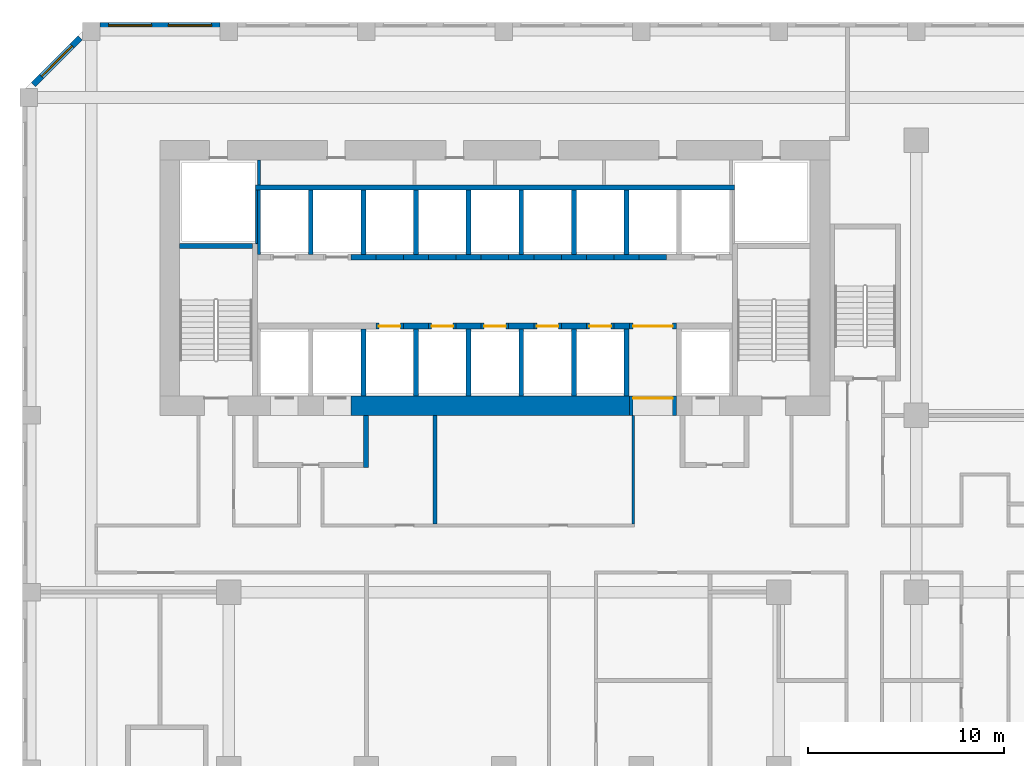
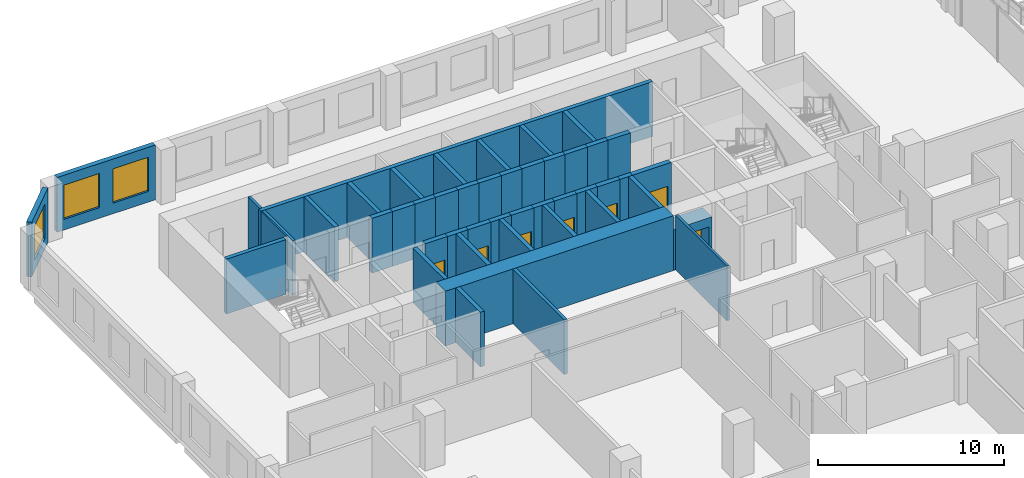
# One storey, part 15 of 21: 48 walls, 7 doors, 3 windows, 10 openings.
"""IFC4 building model written with IfcOpenShell, lengths in metres."""

from ifc_helpers import new_model, si_unit, direction, frame, frame_2d, origin, place, context, subcontext, project, spatial, rectangle, extrude, source, transform, mapped, material, layer, layer_set, type_object, element, fill, save


model = new_model("IFC4")

# Units and contexts
model_context = context("Model", 3, precision=1e-05, world=origin(), true_north=direction((0.0, 1.0)))
body_context = subcontext(model_context, "Body", "Model", "MODEL_VIEW")
ifc_project = project(units=[si_unit("LENGTHUNIT", "METRE"), si_unit("AREAUNIT", "SQUARE_METRE"), si_unit("VOLUMEUNIT", "CUBIC_METRE"), si_unit("PLANEANGLEUNIT", "RADIAN"), si_unit("MASSUNIT", "GRAM", prefix="KILO")], contexts=[model_context])

# Site, building, storey
site_placement = place(None, origin())
site = spatial("IfcSite", under=ifc_project, at=site_placement, CompositionType="ELEMENT")
building_placement = place(site_placement, origin())
building = spatial("IfcBuilding", under=site, at=building_placement, Name="Kilnfold Tower and Market Hall", CompositionType="ELEMENT")
storey_placement = place(building_placement, frame((0.0, 0.0, 91.199951171875)))
storey = spatial("IfcBuildingStorey", under=building, at=storey_placement, Name="L21", CompositionType="ELEMENT", Elevation=91.199951171875)

# Walls
ifc_material_1 = material(Name="Gypsum board on steel studs", Category="steel")
ifc_layer_1 = layer(ifc_material_1, 0.14990234375)
ifc_layer_set_1 = layer_set([ifc_layer_1], Name="Gypsum board on steel studs")
wall_type_1 = type_object("IfcWallType", Name="WALL CORRIDOR 150", PredefinedType="PARTITIONING", material=ifc_layer_set_1)
wall_1_placement = place(storey_placement, frame((8.090087890625, 8.0, 0.0), z_axis=(0.0, 0.0, 1.0), x_axis=(0.0, -1.0, 0.0)))
element("IfcWall", 1, at=wall_1_placement, inside=storey, type_object=wall_type_1, Name="Partition LY14.18", PredefinedType="PARTITIONING", context=body_context, shape_type="SweptSolid", body=[
    extrude(rectangle(XDim=5.52490234375, YDim=0.14990234375, at=frame_2d((2.762451171875, 0.0))), origin(), (0.0, 0.0, 1.0), 3.60009765625),
])
ifc_material_2 = material(Name="Gypsum board on steel studs", Category="steel")
ifc_layer_2 = layer(ifc_material_2, 0.199951171875)
ifc_layer_set_2 = layer_set([ifc_layer_2], Name="Gypsum board on steel studs")
wall_type_2 = type_object("IfcWallType", Name="WALL PARTY 200", PredefinedType="PARTITIONING", material=ifc_layer_set_2)
wall_2_placement = place(storey_placement, frame((-2.0, 2.47607421875, 0.0), z_axis=(0.0, 0.0, 1.0), x_axis=(0.0, 1.0, 0.0)))
element("IfcWall", 2, at=wall_2_placement, inside=storey, type_object=wall_type_2, Name="Partition LY14.58", PredefinedType="PARTITIONING", context=body_context, shape_type="SweptSolid", body=[
    extrude(rectangle(XDim=5.52392578125, YDim=0.199951171875, at=frame_2d((2.761962890625, 0.0))), origin(), (0.0, 0.0, 1.0), 3.60009765625),
])
ifc_material_3 = material(Name="Concrete C80", Category="concrete")
ifc_layer_3 = layer(ifc_material_3, 1.0)
ifc_layer_set_3 = layer_set([ifc_layer_3], Name="Concrete C80")
wall_type_3 = type_object("IfcWallType", Name="CORE WALL 1000 C80", PredefinedType="SHEAR", material=ifc_layer_set_3)
shared_shape_1 = source(origin(), body_context, "Body", "SweptSolid", [
    extrude(rectangle(XDim=14.179931640625, YDim=1.0, at=frame_2d((7.08984375, 0.0))), origin(), (0.0, 0.0, 1.0), 3.60009765625),
])
wall_3_placement = place(storey_placement, frame((-6.2900390625, 8.5, 0.0), z_axis=(0.0, 0.0, 1.0), x_axis=(1.0, 0.0, 0.0)))
element("IfcWall", 3, at=wall_3_placement, inside=storey, type_object=wall_type_3, Name="Core outer wall south", PredefinedType="SHEAR", context=body_context, shape_type="MappedRepresentation", body=[
    mapped(shared_shape_1, transform((0.0, 0.0, 0.0))),
])
ifc_material_4 = material(Name="Concrete C80", Category="concrete")
ifc_layer_4 = layer(ifc_material_4, 0.25)
ifc_layer_set_4 = layer_set([ifc_layer_4], Name="Concrete C80")
wall_type_4 = type_object("IfcWallType", Name="CORE WALL 250 C80", PredefinedType="SHEAR", material=ifc_layer_set_4)
shared_shape_2 = source(origin(), body_context, "Body", "SweptSolid", [
    extrude(rectangle(XDim=3.699951171875, YDim=0.25, at=frame_2d((1.85009765625, 0.0))), origin(), (0.0, 0.0, 1.0), 3.60009765625),
])
wall_4_placement = place(storey_placement, frame((-15.0, 16.625, 0.0), z_axis=(0.0, 0.0, 1.0), x_axis=(1.0, 0.0, 0.0)))
element("IfcWall", 4, at=wall_4_placement, inside=storey, type_object=wall_type_4, Name="Stair enclosure ST1", PredefinedType="SHEAR", context=body_context, shape_type="MappedRepresentation", body=[
    mapped(shared_shape_2, transform((0.0, 0.0, 0.0))),
])
ifc_material_5 = material(Name="Concrete C80", Category="concrete")
ifc_layer_5 = layer(ifc_material_5, 0.300048828125)
ifc_layer_set_5 = layer_set([ifc_layer_5], Name="Concrete C80")
wall_type_5 = type_object("IfcWallType", Name="CORE WALL 300 C80", PredefinedType="SHEAR", material=ifc_layer_set_5)
shared_shape_3 = source(origin(), body_context, "Body", "SweptSolid", [
    extrude(rectangle(XDim=1.280029296875, YDim=0.300048828125, at=frame_2d((0.64013671875, 0.0))), origin(), (0.0, 0.0, 1.0), 3.60009765625),
])
for number, where, z_axis, x_axis, name in (
    (5, (-3.610107421875, 12.550048828125, 0.0), (0.0, 0.0, 1.0), (1.0, 0.0, 0.0), "Core spine wall"),
    (6, (-0.929931640625, 12.550048828125, 0.0), (0.0, 0.0, 1.0), (1.0, 0.0, 0.0), "Core spine wall"),
    (7, (1.75, 12.550048828125, 0.0), (0.0, 0.0, 1.0), (1.0, 0.0, 0.0), "Core spine wall"),
    (8, (4.429931640625, 12.550048828125, 0.0), (0.0, 0.0, 1.0), (1.0, 0.0, 0.0), "Core spine wall"),
    (9, (-6.2900390625, 16.050048828125, 0.0), (0.0, 0.0, 1.0), (1.0, 0.0, 0.0), "Core spine wall"),
    (10, (-3.610107421875, 16.050048828125, 0.0), (0.0, 0.0, 1.0), (1.0, 0.0, 0.0), "Core spine wall"),
    (11, (-0.929931640625, 16.050048828125, 0.0), (0.0, 0.0, 1.0), (1.0, 0.0, 0.0), "Core spine wall"),
    (12, (1.75, 16.050048828125, 0.0), (0.0, 0.0, 1.0), (1.0, 0.0, 0.0), "Core spine wall"),
    (13, (4.429931640625, 16.050048828125, 0.0), (0.0, 0.0, 1.0), (1.0, 0.0, 0.0), "Core spine wall"),
):
    element("IfcWall", number, at=place(storey_placement, frame(where, z_axis=z_axis, x_axis=x_axis)), inside=storey, type_object=wall_type_5, Name=name, PredefinedType="SHEAR", context=body_context, shape_type="MappedRepresentation", body=[
        mapped(shared_shape_3, transform((0.0, 0.0, 0.0))),
    ])
shared_shape_4 = source(origin(), body_context, "Body", "SweptSolid", [
    extrude(rectangle(XDim=0.77978515625, YDim=0.300048828125, at=frame_2d((0.389892578125, 0.0))), origin(), (0.0, 0.0, 1.0), 3.60009765625),
])
wall_5_placement = place(storey_placement, frame((7.110107421875, 12.550048828125, 0.0), z_axis=(0.0, 0.0, 1.0), x_axis=(1.0, 0.0, 0.0)))
element("IfcWall", 14, at=wall_5_placement, inside=storey, type_object=wall_type_5, Name="Core spine wall", PredefinedType="SHEAR", context=body_context, shape_type="MappedRepresentation", body=[
    mapped(shared_shape_4, transform((0.0, 0.0, 0.0))),
])
shared_shape_5 = source(origin(), body_context, "Body", "SweptSolid", [
    extrude(rectangle(XDim=1.27978515625, YDim=0.300048828125, at=frame_2d((0.639892578125, 0.0))), origin(), (0.0, 0.0, 1.0), 3.60009765625),
])
wall_6_placement = place(storey_placement, frame((7.110107421875, 16.050048828125, 0.0), z_axis=(0.0, 0.0, 1.0), x_axis=(1.0, 0.0, 0.0)))
element("IfcWall", 15, at=wall_6_placement, inside=storey, type_object=wall_type_5, Name="Core spine wall", PredefinedType="SHEAR", context=body_context, shape_type="MappedRepresentation", body=[
    mapped(shared_shape_5, transform((0.0, 0.0, 0.0))),
])

# Wall, opening, window
ifc_material_6 = material(Name="Precast concrete C50/60", Category="concrete")
ifc_layer_6 = layer(ifc_material_6, 0.300048828125)
ifc_layer_set_6 = layer_set([ifc_layer_6], Name="Precast concrete C50/60")
wall_type_6 = type_object("IfcWallType", Name="PRECAST WALL 300", PredefinedType="SOLIDWALL", material=ifc_layer_set_6)
shared_shape_6 = source(origin(), body_context, "Body", "SweptSolid", [
    extrude(rectangle(XDim=3.35888671875, YDim=0.300048828125, at=frame_2d((1.679443359375, 0.0))), origin(), (0.0, 0.0, 1.0), 3.60009765625),
])
wall_7_placement = place(storey_placement, frame((-20.06884765625, 27.218994140625, 0.0), z_axis=(0.0, 0.0, 1.0), x_axis=(-0.707143122278, -0.707070438228, 0.0)))
wall_7 = element("IfcWall", 16, at=wall_7_placement, inside=storey, type_object=wall_type_6, Name="External wall L21 NW", PredefinedType="SOLIDWALL", context=body_context, shape_type="MappedRepresentation", body=[
    mapped(shared_shape_6, transform((0.0, 0.0, 0.0))),
])
opening_1_placement = place(wall_7_placement, frame((0.579345703125, 0.0, 0.699951171875)))
opening_1 = element("IfcOpeningElement", 17, at=opening_1_placement, cuts=wall_7, Name="Opening W1", PredefinedType="OPENING", context=body_context, shape_type="SweptSolid", body=[
    extrude(rectangle(XDim=2.199951171875, YDim=2.25, at=frame_2d((1.10009765625, 1.125))), frame((0.0, 0.16015625, 0.0), z_axis=(0.0, -1.0, 0.0), x_axis=(1.0, 0.0, 0.0)), (0.0, 0.0, 1.0), 0.320068359375),
])
ifc_material_7 = material(Name="Aluminium frame and double glazing", Category="aluminium")
window_type = type_object("IfcWindowType", Name="WINDOW W1 2200X2250", PartitioningType="SINGLE_PANEL", PredefinedType="WINDOW", material=ifc_material_7)
window_1_placement = place(opening_1_placement, origin())
window_1 = element("IfcWindow", 18, at=window_1_placement, inside=storey, type_object=window_type, Name="Window W1 L21 NW-1", OverallHeight=2.25, OverallWidth=2.199951171875, PartitioningType="SINGLE_PANEL", PredefinedType="WINDOW", context=body_context, shape_type="SweptSolid", body=[
    extrude(rectangle(XDim=2.199951171875, YDim=2.25, at=frame_2d((1.10009765625, 1.125))), frame((0.0, 0.030029296875, 0.0), z_axis=(0.0, -1.0, 0.0), x_axis=(1.0, 0.0, 0.0)), (0.0, 0.0, 1.0), 0.06005859375),
])
fill(opening_1, window_1)

# Wall, openings, windows
shared_shape_7 = source(origin(), body_context, "Body", "SweptSolid", [
    extrude(rectangle(XDim=6.10009765625, YDim=0.300048828125, at=frame_2d((3.050048828125, 0.0))), origin(), (0.0, 0.0, 1.0), 3.60009765625),
])
wall_8_placement = place(storey_placement, frame((-12.949951171875, 27.85009765625, 0.0), z_axis=(0.0, 0.0, 1.0), x_axis=(-1.0, 0.0, 0.0)))
wall_8 = element("IfcWall", 19, at=wall_8_placement, inside=storey, type_object=wall_type_6, Name="External wall L21 N", PredefinedType="SOLIDWALL", context=body_context, shape_type="MappedRepresentation", body=[
    mapped(shared_shape_7, transform((0.0, 0.0, 0.0))),
])
opening_2_placement = place(wall_8_placement, frame((0.425048828125, 0.0, 0.699951171875)))
opening_2 = element("IfcOpeningElement", 20, at=opening_2_placement, cuts=wall_8, Name="Opening W1", PredefinedType="OPENING", context=body_context, shape_type="SweptSolid", body=[
    extrude(rectangle(XDim=2.199951171875, YDim=2.25, at=frame_2d((1.10009765625, 1.125))), frame((0.0, 0.16015625, 0.0), z_axis=(0.0, -1.0, 0.0), x_axis=(1.0, 0.0, 0.0)), (0.0, 0.0, 1.0), 0.320068359375),
])
opening_3_placement = place(wall_8_placement, frame((3.47509765625, 0.0, 0.699951171875)))
opening_3 = element("IfcOpeningElement", 21, at=opening_3_placement, cuts=wall_8, Name="Opening W1", PredefinedType="OPENING", context=body_context, shape_type="SweptSolid", body=[
    extrude(rectangle(XDim=2.199951171875, YDim=2.25, at=frame_2d((1.10009765625, 1.125))), frame((0.0, 0.16015625, 0.0), z_axis=(0.0, -1.0, 0.0), x_axis=(1.0, 0.0, 0.0)), (0.0, 0.0, 1.0), 0.320068359375),
])
window_2_placement = place(opening_2_placement, origin())
window_2 = element("IfcWindow", 22, at=window_2_placement, inside=storey, type_object=window_type, Name="Window W1 L21 N-1", OverallHeight=2.25, OverallWidth=2.199951171875, PartitioningType="SINGLE_PANEL", PredefinedType="WINDOW", context=body_context, shape_type="SweptSolid", body=[
    extrude(rectangle(XDim=2.199951171875, YDim=2.25, at=frame_2d((1.10009765625, 1.125))), frame((0.0, 0.030029296875, 0.0), z_axis=(0.0, -1.0, 0.0), x_axis=(1.0, 0.0, 0.0)), (0.0, 0.0, 1.0), 0.06005859375),
])
fill(opening_2, window_2)
window_3_placement = place(opening_3_placement, origin())
window_3 = element("IfcWindow", 23, at=window_3_placement, inside=storey, type_object=window_type, Name="Window W1 L21 N-2", OverallHeight=2.25, OverallWidth=2.199951171875, PartitioningType="SINGLE_PANEL", PredefinedType="WINDOW", context=body_context, shape_type="SweptSolid", body=[
    extrude(rectangle(XDim=2.199951171875, YDim=2.25, at=frame_2d((1.10009765625, 1.125))), frame((0.0, 0.030029296875, 0.0), z_axis=(0.0, -1.0, 0.0), x_axis=(1.0, 0.0, 0.0)), (0.0, 0.0, 1.0), 0.06005859375),
])
fill(opening_3, window_3)

# Wall, opening, door
ifc_material_8 = material(Name="Gypsum shaft wall system")
ifc_layer_7 = layer(ifc_material_8, 1.0)
ifc_layer_set_7 = layer_set([ifc_layer_7], Name="Gypsum shaft wall system")
wall_type_7 = type_object("IfcWallType", Name="LOBBY WALL 1000", PredefinedType="PARTITIONING", material=ifc_layer_set_7)
shared_shape_8 = source(origin(), body_context, "Body", "SweptSolid", [
    extrude(rectangle(XDim=2.400146484375, YDim=1.0, at=frame_2d((1.2001953125, 0.0))), origin(), (0.0, 0.0, 1.0), 2.699951171875),
])
wall_9_placement = place(storey_placement, frame((7.889892578125, 8.5, 0.0), z_axis=(0.0, 0.0, 1.0), x_axis=(1.0, 0.0, 0.0)))
wall_9 = element("IfcWall", 24, at=wall_9_placement, inside=storey, type_object=wall_type_7, Name="Core wall infill", PredefinedType="PARTITIONING", context=body_context, shape_type="MappedRepresentation", body=[
    mapped(shared_shape_8, transform((0.0, 0.0, 0.0))),
])
opening_4_placement = place(wall_9_placement, frame((0.199951171875, 0.0, 0.0)))
opening_4 = element("IfcOpeningElement", 25, at=opening_4_placement, cuts=wall_9, Name="Opening VD2", PredefinedType="OPENING", context=body_context, shape_type="SweptSolid", body=[
    extrude(rectangle(XDim=2.0, YDim=2.10009765625, at=frame_2d((1.0, 1.050048828125))), frame((0.0, 0.510009765625, 0.0), z_axis=(0.0, -1.0, 0.0), x_axis=(1.0, 0.0, 0.0)), (0.0, 0.0, 1.0), 1.02001953125),
])
ifc_material_9 = material(Name="Steel door set with fire-resisting leaf", Category="steel")
door_type_1 = type_object("IfcDoorType", Name="LIFT LOBBY ENTRANCE DOOR 2000X2100", OperationType="NOTDEFINED", PredefinedType="DOOR", material=ifc_material_9)
door_1_placement = place(opening_4_placement, origin())
door_1 = element("IfcDoor", 26, at=door_1_placement, inside=storey, type_object=door_type_1, Name="Lift lobby entrance door", OperationType="DOUBLE_DOOR_SINGLE_SWING", OverallHeight=2.10009765625, OverallWidth=2.0, PredefinedType="DOOR", context=body_context, shape_type="SweptSolid", body=[
    extrude(rectangle(XDim=2.0, YDim=2.10009765625, at=frame_2d((1.0, 1.050048828125))), frame((0.0, 0.40478515625, 0.0), z_axis=(0.0, -1.0, 0.0), x_axis=(1.0, 0.0, 0.0)), (0.0, 0.0, 1.0), 0.050048828125),
])
fill(opening_4, door_1)

ifc_material_10 = material(Name="Gypsum shaft wall system")
ifc_layer_8 = layer(ifc_material_10, 0.300048828125)
ifc_layer_set_8 = layer_set([ifc_layer_8], Name="Gypsum shaft wall system")
wall_type_8 = type_object("IfcWallType", Name="SHAFT WALL 300", PredefinedType="PARTITIONING", material=ifc_layer_set_8)
shared_shape_9 = source(origin(), body_context, "Body", "SweptSolid", [
    extrude(rectangle(XDim=1.39990234375, YDim=0.300048828125, at=frame_2d((0.699951171875, 0.0))), origin(), (0.0, 0.0, 1.0), 3.60009765625),
])
wall_10_placement = place(storey_placement, frame((-5.010009765625, 12.550048828125, 0.0), z_axis=(0.0, 0.0, 1.0), x_axis=(1.0, 0.0, 0.0)))
wall_10 = element("IfcWall", 27, at=wall_10_placement, inside=storey, type_object=wall_type_8, Name="Lift shaft front wall", PredefinedType="PARTITIONING", context=body_context, shape_type="MappedRepresentation", body=[
    mapped(shared_shape_9, transform((0.0, 0.0, 0.0))),
])
opening_5_placement = place(wall_10_placement, frame((0.14990234375, 0.0, 0.0)))
opening_5 = element("IfcOpeningElement", 28, at=opening_5_placement, cuts=wall_10, Name="Opening LD2", PredefinedType="OPENING", context=body_context, shape_type="SweptSolid", body=[
    extrude(rectangle(XDim=1.10009765625, YDim=2.10009765625, at=frame_2d((0.550048828125, 1.050048828125))), frame((0.0, 0.16015625, 0.0), z_axis=(0.0, -1.0, 0.0), x_axis=(1.0, 0.0, 0.0)), (0.0, 0.0, 1.0), 0.320068359375),
])
ifc_material_11 = material(Name="Steel door set with fire-resisting leaf", Category="steel")
door_type_2 = type_object("IfcDoorType", Name="LANDING DOOR 1100X2100", OperationType="NOTDEFINED", PredefinedType="DOOR", material=ifc_material_11)
door_2_placement = place(opening_5_placement, origin())
door_2 = element("IfcDoor", 29, at=door_2_placement, inside=storey, type_object=door_type_2, Name="Landing door LR1", OperationType="DOUBLE_DOOR_SLIDING", OverallHeight=2.10009765625, OverallWidth=1.10009765625, PredefinedType="DOOR", context=body_context, shape_type="SweptSolid", body=[
    extrude(rectangle(XDim=1.10009765625, YDim=2.10009765625, at=frame_2d((0.550048828125, 1.050048828125))), frame((0.0, 0.02490234375, 0.0), z_axis=(0.0, -1.0, 0.0), x_axis=(1.0, 0.0, 0.0)), (0.0, 0.0, 1.0), 0.050048828125),
])
fill(opening_5, door_2)

wall_11_placement = place(storey_placement, frame((0.35009765625, 12.550048828125, 0.0), z_axis=(0.0, 0.0, 1.0), x_axis=(1.0, 0.0, 0.0)))
wall_11 = element("IfcWall", 30, at=wall_11_placement, inside=storey, type_object=wall_type_8, Name="Lift shaft front wall", PredefinedType="PARTITIONING", context=body_context, shape_type="MappedRepresentation", body=[
    mapped(shared_shape_9, transform((0.0, 0.0, 0.0))),
])
opening_6_placement = place(wall_11_placement, frame((0.14990234375, 0.0, 0.0)))
opening_6 = element("IfcOpeningElement", 31, at=opening_6_placement, cuts=wall_11, Name="Opening LD2", PredefinedType="OPENING", context=body_context, shape_type="SweptSolid", body=[
    extrude(rectangle(XDim=1.10009765625, YDim=2.10009765625, at=frame_2d((0.550048828125, 1.050048828125))), frame((0.0, 0.16015625, 0.0), z_axis=(0.0, -1.0, 0.0), x_axis=(1.0, 0.0, 0.0)), (0.0, 0.0, 1.0), 0.320068359375),
])
door_3_placement = place(opening_6_placement, origin())
door_3 = element("IfcDoor", 32, at=door_3_placement, inside=storey, type_object=door_type_2, Name="Landing door LR3", OperationType="DOUBLE_DOOR_SLIDING", OverallHeight=2.10009765625, OverallWidth=1.10009765625, PredefinedType="DOOR", context=body_context, shape_type="SweptSolid", body=[
    extrude(rectangle(XDim=1.10009765625, YDim=2.10009765625, at=frame_2d((0.550048828125, 1.050048828125))), frame((0.0, 0.02490234375, 0.0), z_axis=(0.0, -1.0, 0.0), x_axis=(1.0, 0.0, 0.0)), (0.0, 0.0, 1.0), 0.050048828125),
])
fill(opening_6, door_3)

wall_12_placement = place(storey_placement, frame((3.030029296875, 12.550048828125, 0.0), z_axis=(0.0, 0.0, 1.0), x_axis=(1.0, 0.0, 0.0)))
wall_12 = element("IfcWall", 33, at=wall_12_placement, inside=storey, type_object=wall_type_8, Name="Lift shaft front wall", PredefinedType="PARTITIONING", context=body_context, shape_type="MappedRepresentation", body=[
    mapped(shared_shape_9, transform((0.0, 0.0, 0.0))),
])
opening_7_placement = place(wall_12_placement, frame((0.14990234375, 0.0, 0.0)))
opening_7 = element("IfcOpeningElement", 34, at=opening_7_placement, cuts=wall_12, Name="Opening LD2", PredefinedType="OPENING", context=body_context, shape_type="SweptSolid", body=[
    extrude(rectangle(XDim=1.10009765625, YDim=2.10009765625, at=frame_2d((0.550048828125, 1.050048828125))), frame((0.0, 0.16015625, 0.0), z_axis=(0.0, -1.0, 0.0), x_axis=(1.0, 0.0, 0.0)), (0.0, 0.0, 1.0), 0.320068359375),
])
door_4_placement = place(opening_7_placement, origin())
door_4 = element("IfcDoor", 35, at=door_4_placement, inside=storey, type_object=door_type_2, Name="Landing door LR4", OperationType="DOUBLE_DOOR_SLIDING", OverallHeight=2.10009765625, OverallWidth=1.10009765625, PredefinedType="DOOR", context=body_context, shape_type="SweptSolid", body=[
    extrude(rectangle(XDim=1.10009765625, YDim=2.10009765625, at=frame_2d((0.550048828125, 1.050048828125))), frame((0.0, 0.02490234375, 0.0), z_axis=(0.0, -1.0, 0.0), x_axis=(1.0, 0.0, 0.0)), (0.0, 0.0, 1.0), 0.050048828125),
])
fill(opening_7, door_4)

# Walls
for number, where, z_axis, x_axis, name in (
    (36, (-5.010009765625, 16.050048828125, 0.0), (0.0, 0.0, 1.0), (1.0, 0.0, 0.0), "Lift shaft front wall"),
    (37, (0.35009765625, 16.050048828125, 0.0), (0.0, 0.0, 1.0), (1.0, 0.0, 0.0), "Lift shaft front wall"),
    (38, (3.030029296875, 16.050048828125, 0.0), (0.0, 0.0, 1.0), (1.0, 0.0, 0.0), "Lift shaft front wall"),
):
    element("IfcWall", number, at=place(storey_placement, frame(where, z_axis=z_axis, x_axis=x_axis)), inside=storey, type_object=wall_type_8, Name=name, PredefinedType="PARTITIONING", context=body_context, shape_type="MappedRepresentation", body=[
        mapped(shared_shape_9, transform((0.0, 0.0, 0.0))),
    ])

# Wall, opening, door
shared_shape_10 = source(origin(), body_context, "Body", "SweptSolid", [
    extrude(rectangle(XDim=1.400146484375, YDim=0.300048828125, at=frame_2d((0.7001953125, 0.0))), origin(), (0.0, 0.0, 1.0), 3.60009765625),
])
wall_13_placement = place(storey_placement, frame((-2.330078125, 12.550048828125, 0.0), z_axis=(0.0, 0.0, 1.0), x_axis=(1.0, 0.0, 0.0)))
wall_13 = element("IfcWall", 39, at=wall_13_placement, inside=storey, type_object=wall_type_8, Name="Lift shaft front wall", PredefinedType="PARTITIONING", context=body_context, shape_type="MappedRepresentation", body=[
    mapped(shared_shape_10, transform((0.0, 0.0, 0.0))),
])
opening_8_placement = place(wall_13_placement, frame((0.14990234375, 0.0, 0.0)))
opening_8 = element("IfcOpeningElement", 40, at=opening_8_placement, cuts=wall_13, Name="Opening LD2", PredefinedType="OPENING", context=body_context, shape_type="SweptSolid", body=[
    extrude(rectangle(XDim=1.10009765625, YDim=2.10009765625, at=frame_2d((0.550048828125, 1.050048828125))), frame((0.0, 0.16015625, 0.0), z_axis=(0.0, -1.0, 0.0), x_axis=(1.0, 0.0, 0.0)), (0.0, 0.0, 1.0), 0.320068359375),
])
door_5_placement = place(opening_8_placement, origin())
door_5 = element("IfcDoor", 41, at=door_5_placement, inside=storey, type_object=door_type_2, Name="Landing door LR2", OperationType="DOUBLE_DOOR_SLIDING", OverallHeight=2.10009765625, OverallWidth=1.10009765625, PredefinedType="DOOR", context=body_context, shape_type="SweptSolid", body=[
    extrude(rectangle(XDim=1.10009765625, YDim=2.10009765625, at=frame_2d((0.550048828125, 1.050048828125))), frame((0.0, 0.02490234375, 0.0), z_axis=(0.0, -1.0, 0.0), x_axis=(1.0, 0.0, 0.0)), (0.0, 0.0, 1.0), 0.050048828125),
])
fill(opening_8, door_5)

wall_14_placement = place(storey_placement, frame((5.7099609375, 12.550048828125, 0.0), z_axis=(0.0, 0.0, 1.0), x_axis=(1.0, 0.0, 0.0)))
wall_14 = element("IfcWall", 42, at=wall_14_placement, inside=storey, type_object=wall_type_8, Name="Lift shaft front wall", PredefinedType="PARTITIONING", context=body_context, shape_type="MappedRepresentation", body=[
    mapped(shared_shape_10, transform((0.0, 0.0, 0.0))),
])
opening_9_placement = place(wall_14_placement, frame((0.14990234375, 0.0, 0.0)))
opening_9 = element("IfcOpeningElement", 43, at=opening_9_placement, cuts=wall_14, Name="Opening LD2", PredefinedType="OPENING", context=body_context, shape_type="SweptSolid", body=[
    extrude(rectangle(XDim=1.10009765625, YDim=2.10009765625, at=frame_2d((0.550048828125, 1.050048828125))), frame((0.0, 0.16015625, 0.0), z_axis=(0.0, -1.0, 0.0), x_axis=(1.0, 0.0, 0.0)), (0.0, 0.0, 1.0), 0.320068359375),
])
door_6_placement = place(opening_9_placement, origin())
door_6 = element("IfcDoor", 44, at=door_6_placement, inside=storey, type_object=door_type_2, Name="Landing door LR5", OperationType="DOUBLE_DOOR_SLIDING", OverallHeight=2.10009765625, OverallWidth=1.10009765625, PredefinedType="DOOR", context=body_context, shape_type="SweptSolid", body=[
    extrude(rectangle(XDim=1.10009765625, YDim=2.10009765625, at=frame_2d((0.550048828125, 1.050048828125))), frame((0.0, 0.02490234375, 0.0), z_axis=(0.0, -1.0, 0.0), x_axis=(1.0, 0.0, 0.0)), (0.0, 0.0, 1.0), 0.050048828125),
])
fill(opening_9, door_6)

# Walls
for number, where, z_axis, x_axis, name in (
    (45, (-2.330078125, 16.050048828125, 0.0), (0.0, 0.0, 1.0), (1.0, 0.0, 0.0), "Lift shaft front wall"),
    (46, (5.7099609375, 16.050048828125, 0.0), (0.0, 0.0, 1.0), (1.0, 0.0, 0.0), "Lift shaft front wall"),
    (47, (8.389892578125, 16.050048828125, 0.0), (0.0, 0.0, 1.0), (1.0, 0.0, 0.0), "Lift shaft front wall"),
):
    element("IfcWall", number, at=place(storey_placement, frame(where, z_axis=z_axis, x_axis=x_axis)), inside=storey, type_object=wall_type_8, Name=name, PredefinedType="PARTITIONING", context=body_context, shape_type="MappedRepresentation", body=[
        mapped(shared_shape_10, transform((0.0, 0.0, 0.0))),
    ])

# Wall, opening, door
shared_shape_11 = source(origin(), body_context, "Body", "SweptSolid", [
    extrude(rectangle(XDim=2.400146484375, YDim=0.300048828125, at=frame_2d((1.2001953125, 0.0))), origin(), (0.0, 0.0, 1.0), 3.60009765625),
])
wall_15_placement = place(storey_placement, frame((7.889892578125, 12.550048828125, 0.0), z_axis=(0.0, 0.0, 1.0), x_axis=(1.0, 0.0, 0.0)))
wall_15 = element("IfcWall", 48, at=wall_15_placement, inside=storey, type_object=wall_type_8, Name="Lift shaft front wall", PredefinedType="PARTITIONING", context=body_context, shape_type="MappedRepresentation", body=[
    mapped(shared_shape_11, transform((0.0, 0.0, 0.0))),
])
opening_10_placement = place(wall_15_placement, frame((0.199951171875, 0.0, 0.0)))
opening_10 = element("IfcOpeningElement", 49, at=opening_10_placement, cuts=wall_15, Name="Opening VD2", PredefinedType="OPENING", context=body_context, shape_type="SweptSolid", body=[
    extrude(rectangle(XDim=2.0, YDim=2.10009765625, at=frame_2d((1.0, 1.050048828125))), frame((0.0, 0.16015625, 0.0), z_axis=(0.0, -1.0, 0.0), x_axis=(1.0, 0.0, 0.0)), (0.0, 0.0, 1.0), 0.320068359375),
])
door_7_placement = place(opening_10_placement, origin())
door_7 = element("IfcDoor", 50, at=door_7_placement, inside=storey, type_object=door_type_1, Name="Lift lobby entrance door", OperationType="DOUBLE_DOOR_SINGLE_SWING", OverallHeight=2.10009765625, OverallWidth=2.0, PredefinedType="DOOR", context=body_context, shape_type="SweptSolid", body=[
    extrude(rectangle(XDim=2.0, YDim=2.10009765625, at=frame_2d((1.0, 1.050048828125))), frame((0.0, 0.02490234375, 0.0), z_axis=(0.0, -1.0, 0.0), x_axis=(1.0, 0.0, 0.0)), (0.0, 0.0, 1.0), 0.050048828125),
])
fill(opening_10, door_7)

# Walls
ifc_material_12 = material(Name="Gypsum shaft wall system")
ifc_layer_9 = layer(ifc_material_12, 0.25)
ifc_layer_set_9 = layer_set([ifc_layer_9], Name="Gypsum shaft wall system")
wall_type_9 = type_object("IfcWallType", Name="LOBBY WALL 250", PredefinedType="PARTITIONING", material=ifc_layer_set_9)
shared_shape_12 = source(origin(), body_context, "Body", "SweptSolid", [
    extrude(rectangle(XDim=2.64990234375, YDim=0.25, at=frame_2d((1.324951171875, 0.0))), origin(), (0.0, 0.0, 1.0), 3.60009765625),
])
wall_16_placement = place(storey_placement, frame((-5.52490234375, 5.35009765625, 0.0), z_axis=(0.0, 0.0, 1.0), x_axis=(0.0, 1.0, 0.0)))
element("IfcWall", 51, at=wall_16_placement, inside=storey, type_object=wall_type_9, Name="Firefighting lobby wall", PredefinedType="PARTITIONING", context=body_context, shape_type="MappedRepresentation", body=[
    mapped(shared_shape_12, transform((0.0, 0.0, 0.0))),
])
ifc_material_13 = material(Name="Gypsum shaft wall system")
ifc_layer_10 = layer(ifc_material_13, 0.25)
ifc_layer_set_10 = layer_set([ifc_layer_10], Name="Gypsum shaft wall system")
wall_type_10 = type_object("IfcWallType", Name="SHAFT WALL 250", PredefinedType="PARTITIONING", material=ifc_layer_set_10)
shared_shape_13 = source(origin(), body_context, "Body", "SweptSolid", [
    extrude(rectangle(XDim=24.3701171875, YDim=0.25, at=frame_2d((12.18505859375, 0.0))), origin(), (0.0, 0.0, 1.0), 3.60009765625),
])
wall_17_placement = place(storey_placement, frame((-11.135009765625, 19.60009765625, 0.0), z_axis=(0.0, 0.0, 1.0), x_axis=(1.0, 0.0, 0.0)))
element("IfcWall", 52, at=wall_17_placement, inside=storey, type_object=wall_type_10, Name="Lift shaft wall", PredefinedType="PARTITIONING", context=body_context, shape_type="MappedRepresentation", body=[
    mapped(shared_shape_13, transform((0.0, 0.0, 0.0))),
])
ifc_material_14 = material(Name="Gypsum shaft wall system")
ifc_layer_11 = layer(ifc_material_14, 0.1650390625)
ifc_layer_set_11 = layer_set([ifc_layer_11], Name="Gypsum shaft wall system")
wall_type_11 = type_object("IfcWallType", Name="SHAFT WALL 165", PredefinedType="PARTITIONING", material=ifc_layer_set_11)
shared_shape_14 = source(origin(), body_context, "Body", "SweptSolid", [
    extrude(rectangle(XDim=3.275146484375, YDim=0.1650390625, at=frame_2d((1.6376953125, 0.0))), origin(), (0.0, 0.0, 1.0), 3.60009765625),
])
wall_18_placement = place(storey_placement, frame((-10.967529296875, 16.199951171875, 0.0), z_axis=(0.0, 0.0, 1.0), x_axis=(0.0, 1.0, 0.0)))
element("IfcWall", 53, at=wall_18_placement, inside=storey, type_object=wall_type_11, Name="Lift shaft wall", PredefinedType="PARTITIONING", context=body_context, shape_type="MappedRepresentation", body=[
    mapped(shared_shape_14, transform((0.0, 0.0, 0.0))),
])
shared_shape_15 = source(origin(), body_context, "Body", "SweptSolid", [
    extrude(rectangle(XDim=1.27490234375, YDim=0.1650390625, at=frame_2d((0.637451171875, 0.0))), origin(), (0.0, 0.0, 1.0), 3.60009765625),
])
wall_19_placement = place(storey_placement, frame((-10.967529296875, 19.72509765625, 0.0), z_axis=(0.0, 0.0, 1.0), x_axis=(0.0, 1.0, 0.0)))
element("IfcWall", 54, at=wall_19_placement, inside=storey, type_object=wall_type_11, Name="Lift shaft wall", PredefinedType="PARTITIONING", context=body_context, shape_type="MappedRepresentation", body=[
    mapped(shared_shape_15, transform((0.0, 0.0, 0.0))),
])
shared_shape_16 = source(origin(), body_context, "Body", "SweptSolid", [
    extrude(rectangle(XDim=3.275146484375, YDim=0.25, at=frame_2d((1.6376953125, 0.0))), origin(), (0.0, 0.0, 1.0), 3.60009765625),
])
for number, where, z_axis, x_axis, name in (
    (55, (2.389892578125, 16.199951171875, 0.0), (0.0, 0.0, 1.0), (0.0, 1.0, 0.0), "Lift shaft wall"),
    (56, (5.070068359375, 16.199951171875, 0.0), (0.0, 0.0, 1.0), (0.0, 1.0, 0.0), "Lift shaft wall"),
    (57, (7.75, 16.199951171875, 0.0), (0.0, 0.0, 1.0), (0.0, 1.0, 0.0), "Lift shaft wall"),
    (58, (-0.2900390625, 16.199951171875, 0.0), (0.0, 0.0, 1.0), (0.0, 1.0, 0.0), "Lift shaft wall"),
    (59, (-2.969970703125, 16.199951171875, 0.0), (0.0, 0.0, 1.0), (0.0, 1.0, 0.0), "Lift shaft wall"),
    (60, (-5.64990234375, 16.199951171875, 0.0), (0.0, 0.0, 1.0), (0.0, 1.0, 0.0), "Lift shaft wall"),
    (61, (-8.330078125, 16.199951171875, 0.0), (0.0, 0.0, 1.0), (0.0, 1.0, 0.0), "Lift shaft wall"),
):
    element("IfcWall", number, at=place(storey_placement, frame(where, z_axis=z_axis, x_axis=x_axis)), inside=storey, type_object=wall_type_10, Name=name, PredefinedType="PARTITIONING", context=body_context, shape_type="MappedRepresentation", body=[
        mapped(shared_shape_16, transform((0.0, 0.0, 0.0))),
    ])
ifc_material_15 = material(Name="Gypsum shaft wall system")
ifc_layer_12 = layer(ifc_material_15, 0.0849609375)
ifc_layer_set_12 = layer_set([ifc_layer_12], Name="Gypsum shaft wall system")
wall_type_12 = type_object("IfcWallType", Name="SHAFT WALL 85", PredefinedType="PARTITIONING", material=ifc_layer_set_12)
shared_shape_17 = source(origin(), body_context, "Body", "SweptSolid", [
    extrude(rectangle(XDim=2.72509765625, YDim=0.0849609375, at=frame_2d((1.362548828125, 0.0))), origin(), (0.0, 0.0, 1.0), 3.60009765625),
])
wall_20_placement = place(storey_placement, frame((-11.092529296875, 16.75, 0.0), z_axis=(0.0, 0.0, 1.0), x_axis=(0.0, 1.0, 0.0)))
element("IfcWall", 62, at=wall_20_placement, inside=storey, type_object=wall_type_12, Name="Lift shaft wall", PredefinedType="PARTITIONING", context=body_context, shape_type="MappedRepresentation", body=[
    mapped(shared_shape_17, transform((0.0, 0.0, 0.0))),
])
shared_shape_18 = source(origin(), body_context, "Body", "SweptSolid", [
    extrude(rectangle(XDim=3.39990234375, YDim=0.25, at=frame_2d((1.699951171875, 0.0))), origin(), (0.0, 0.0, 1.0), 3.60009765625),
])
for number, where, z_axis, x_axis, name in (
    (63, (2.389892578125, 9.0, 0.0), (0.0, 0.0, 1.0), (0.0, 1.0, 0.0), "Lift shaft wall"),
    (64, (5.070068359375, 9.0, 0.0), (0.0, 0.0, 1.0), (0.0, 1.0, 0.0), "Lift shaft wall"),
    (65, (7.75, 9.0, 0.0), (0.0, 0.0, 1.0), (0.0, 1.0, 0.0), "Lift shaft wall"),
    (66, (-0.2900390625, 9.0, 0.0), (0.0, 0.0, 1.0), (0.0, 1.0, 0.0), "Lift shaft wall"),
    (67, (-2.969970703125, 9.0, 0.0), (0.0, 0.0, 1.0), (0.0, 1.0, 0.0), "Lift shaft wall"),
    (68, (-5.64990234375, 9.0, 0.0), (0.0, 0.0, 1.0), (0.0, 1.0, 0.0), "Lift shaft wall"),
):
    element("IfcWall", number, at=place(storey_placement, frame(where, z_axis=z_axis, x_axis=x_axis)), inside=storey, type_object=wall_type_10, Name=name, PredefinedType="PARTITIONING", context=body_context, shape_type="MappedRepresentation", body=[
        mapped(shared_shape_18, transform((0.0, 0.0, 0.0))),
    ])

save(model, "model.ifc")
